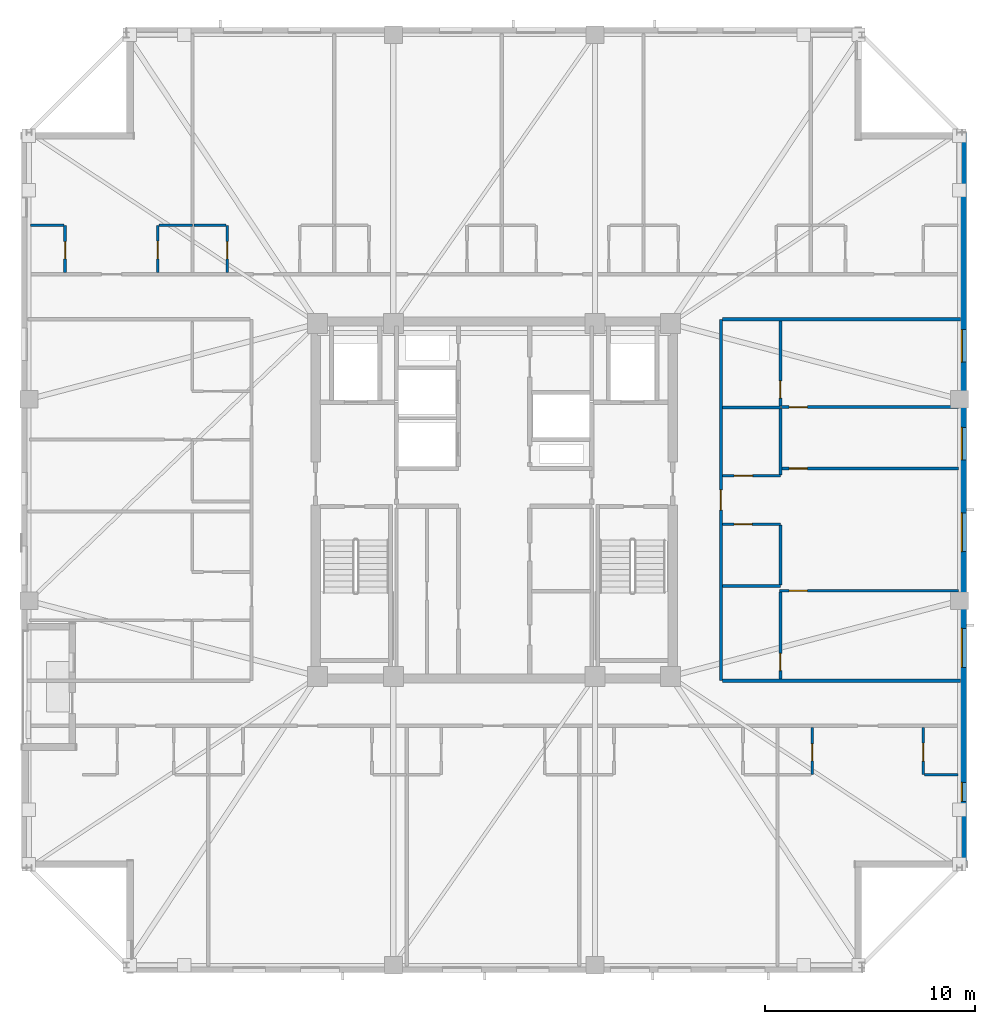
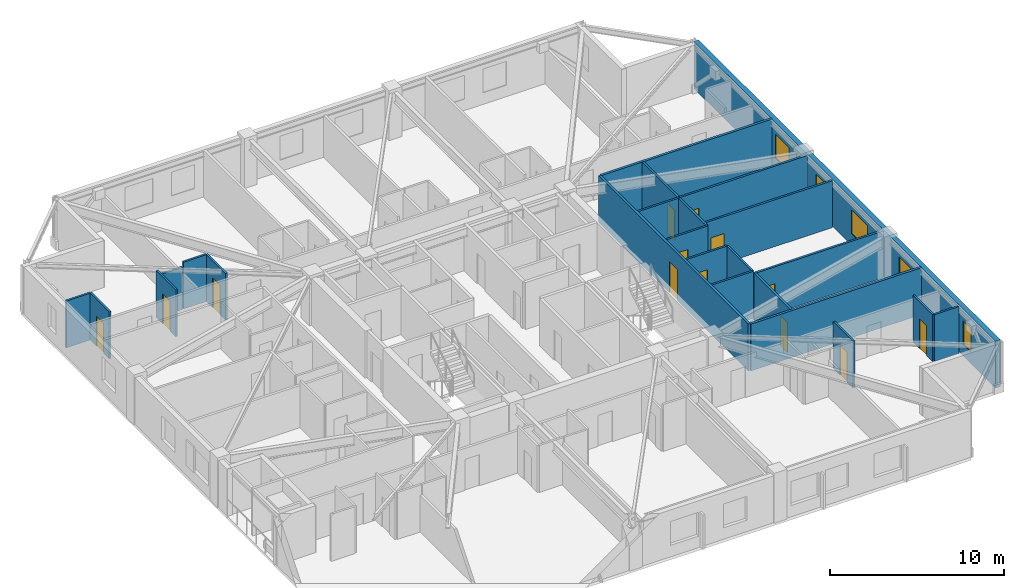
# One storey, part 10 of 17: 24 walls, 13 doors, 5 windows, 18 openings.
"""IFC4 building model written with IfcOpenShell, lengths in metres."""

from ifc_helpers import new_model, si_unit, direction, frame, frame_2d, origin, place, context, subcontext, project, spatial, rectangle, extrude, material, layer, layer_set, type_object, element, fill, save


model = new_model("IFC4")

# Units and contexts
model_context = context("Model", 3, precision=1e-05, world=origin(), true_north=direction((0.0, 1.0)))
body_context = subcontext(model_context, "Body", "Model", "MODEL_VIEW")
ifc_project = project(units=[si_unit("LENGTHUNIT", "METRE"), si_unit("AREAUNIT", "SQUARE_METRE"), si_unit("VOLUMEUNIT", "CUBIC_METRE"), si_unit("PLANEANGLEUNIT", "RADIAN"), si_unit("MASSUNIT", "GRAM", prefix="KILO")], contexts=[model_context])

# Site, building, storey
site_placement = place(None, origin())
site = spatial("IfcSite", under=ifc_project, at=site_placement, CompositionType="ELEMENT")
building_placement = place(site_placement, origin())
building = spatial("IfcBuilding", under=site, at=building_placement, Name="Cairnveth Concourse Tower", CompositionType="ELEMENT")
storey_placement = place(building_placement, frame((0.0, 0.0, 251.5)))
storey = spatial("IfcBuildingStorey", under=building, at=storey_placement, Name="L69", CompositionType="ELEMENT", Elevation=251.5)

# Wall, opening, door
ifc_material_1 = material(Name="Gypsum Plasterboard Partition", Category="gypsum")
ifc_layer_1 = layer(ifc_material_1, 0.159912109375)
ifc_layer_set_1 = layer_set([ifc_layer_1], Name="Gypsum Plasterboard Partition")
wall_type_1 = type_object("IfcWallType", Name="ACOUSTIC PARTY WALL 180", PredefinedType="PARTITIONING", material=ifc_layer_set_1)
wall_1_placement = place(storey_placement, frame((62.800048828125, 30.39990234375, 0.0), z_axis=(0.0, 0.0, 1.0), x_axis=(0.0, 1.0, 0.0)))
wall_1 = element("IfcWall", 1, at=wall_1_placement, inside=storey, type_object=wall_type_1, Name="Interior Wall IW-L69-038", PredefinedType="PARTITIONING", context=body_context, shape_type="SweptSolid", body=[
    extrude(rectangle(XDim=17.2001953125, YDim=0.159912109375, at=frame_2d((8.60009765625, 0.0))), origin(), (0.0, 0.0, 1.0), 3.2900390625),
])
opening_1_placement = place(wall_1_placement, frame((8.1201171875, 0.0, 0.0)))
opening_1 = element("IfcOpeningElement", 2, at=opening_1_placement, cuts=wall_1, Name="Opening ID10", PredefinedType="OPENING", context=body_context, shape_type="SweptSolid", body=[
    extrude(rectangle(XDim=0.9599609375, YDim=2.179931640625, at=frame_2d((0.47998046875, 1.08984375))), frame((0.0, 0.08984375, 0.0), z_axis=(0.0, -1.0, 0.0), x_axis=(1.0, 0.0, 0.0)), (0.0, 0.0, 1.0), 0.179931640625),
])
ifc_material_2 = material(Name="Solid Core Hardwood Timber Leaf", Category="wood")
door_type_1 = type_object("IfcDoorType", Name="FLAT ENTRANCE DOOR 960X2150", OperationType="NOTDEFINED", PredefinedType="DOOR", material=ifc_material_2)
door_1_placement = place(opening_1_placement, origin())
door_1 = element("IfcDoor", 3, at=door_1_placement, inside=storey, type_object=door_type_1, Name="Apartment L69E1 Entrance Door", OperationType="SINGLE_SWING_RIGHT", OverallHeight=2.179931640625, OverallWidth=0.9599609375, PredefinedType="DOOR", context=body_context, shape_type="SweptSolid", body=[
    extrude(rectangle(XDim=0.9599609375, YDim=2.179931640625, at=frame_2d((0.47998046875, 1.08984375))), frame((0.0, 0.02490234375, 0.0), z_axis=(0.0, -1.0, 0.0), x_axis=(1.0, 0.0, 0.0)), (0.0, 0.0, 1.0), 0.050048828125),
])
fill(opening_1, door_1)

# Walls
for number, where, z_axis, x_axis, name in (
    (4, (62.864990234375, 30.39990234375, 0.0), (0.0, 0.0, 1.0), (1.0, 0.0, 0.0), "Interior Wall IW-L69-041"),
    (5, (62.864990234375, 47.60009765625, 0.0), (0.0, 0.0, 1.0), (1.0, 0.0, 0.0), "Interior Wall IW-L69-042"),
):
    element("IfcWall", number, at=place(storey_placement, frame(where, z_axis=z_axis, x_axis=x_axis)), inside=storey, type_object=wall_type_1, Name=name, PredefinedType="PARTITIONING", context=body_context, shape_type="SweptSolid", body=[
        extrude(rectangle(XDim=11.330078125, YDim=0.159912109375, at=frame_2d((5.6650390625, 0.0))), origin(), (0.0, 0.0, 1.0), 3.2900390625),
    ])

# Wall, opening, door
ifc_layer_2 = layer(ifc_material_1, 0.139892578125)
ifc_layer_set_2 = layer_set([ifc_layer_2], Name="Gypsum Plasterboard Partition")
wall_type_2 = type_object("IfcWallType", Name="GYPSUM STUD PARTITION 140", PredefinedType="PARTITIONING", material=ifc_layer_set_2)
wall_2_placement = place(storey_placement, frame((65.590087890625, 34.679931640625, 0.0), z_axis=(0.0, 0.0, 1.0), x_axis=(1.0, 0.0, 0.0)))
wall_2 = element("IfcWall", 6, at=wall_2_placement, inside=storey, type_object=wall_type_2, Name="Interior Wall IW-L69-114", PredefinedType="PARTITIONING", context=body_context, shape_type="SweptSolid", body=[
    extrude(rectangle(XDim=8.530029296875, YDim=0.139892578125, at=frame_2d((4.26513671875, 0.0))), origin(), (0.0, 0.0, 1.0), 3.2900390625),
])
opening_2_placement = place(wall_2_placement, frame((0.449951171875, 0.0, 0.0)))
opening_2 = element("IfcOpeningElement", 7, at=opening_2_placement, cuts=wall_2, Name="Opening ID18", PredefinedType="OPENING", context=body_context, shape_type="SweptSolid", body=[
    extrude(rectangle(XDim=0.8798828125, YDim=2.10009765625, at=frame_2d((0.43994140625, 1.050048828125))), frame((0.0, 0.079833984375, 0.0), z_axis=(0.0, -1.0, 0.0), x_axis=(1.0, 0.0, 0.0)), (0.0, 0.0, 1.0), 0.159912109375),
])
door_type_2 = type_object("IfcDoorType", Name="INTERIOR SINGLE DOOR 880X2100", OperationType="NOTDEFINED", PredefinedType="DOOR", material=ifc_material_2)
door_2_placement = place(opening_2_placement, origin())
door_2 = element("IfcDoor", 8, at=door_2_placement, inside=storey, type_object=door_type_2, Name="L69E1 Master Bedroom Door", OperationType="SINGLE_SWING_RIGHT", OverallHeight=2.10009765625, OverallWidth=0.8798828125, PredefinedType="DOOR", context=body_context, shape_type="SweptSolid", body=[
    extrude(rectangle(XDim=0.8798828125, YDim=2.10009765625, at=frame_2d((0.43994140625, 1.050048828125))), frame((0.0, 0.02490234375, 0.0), z_axis=(0.0, -1.0, 0.0), x_axis=(1.0, 0.0, 0.0)), (0.0, 0.0, 1.0), 0.050048828125),
])
fill(opening_2, door_2)

wall_3_placement = place(storey_placement, frame((65.6298828125, 30.465087890625, 0.0), z_axis=(0.0, 0.0, 1.0), x_axis=(0.0, 1.0, 0.0)))
wall_3 = element("IfcWall", 9, at=wall_3_placement, inside=storey, type_object=wall_type_2, Name="Interior Wall IW-L69-115", PredefinedType="PARTITIONING", context=body_context, shape_type="SweptSolid", body=[
    extrude(rectangle(XDim=4.159912109375, YDim=0.139892578125, at=frame_2d((2.080078125, 0.0))), origin(), (0.0, 0.0, 1.0), 3.2900390625),
])
opening_3_placement = place(wall_3_placement, frame((0.4150390625, 0.0, 0.0)))
opening_3 = element("IfcOpeningElement", 10, at=opening_3_placement, cuts=wall_3, Name="Opening ID22", PredefinedType="OPENING", context=body_context, shape_type="SweptSolid", body=[
    extrude(rectangle(XDim=0.820068359375, YDim=2.10009765625, at=frame_2d((0.41015625, 1.050048828125))), frame((0.0, 0.079833984375, 0.0), z_axis=(0.0, -1.0, 0.0), x_axis=(1.0, 0.0, 0.0)), (0.0, 0.0, 1.0), 0.159912109375),
])
door_type_3 = type_object("IfcDoorType", Name="INTERIOR WC DOOR 820X2100", OperationType="NOTDEFINED", PredefinedType="DOOR", material=ifc_material_2)
door_3_placement = place(opening_3_placement, origin())
door_3 = element("IfcDoor", 11, at=door_3_placement, inside=storey, type_object=door_type_3, Name="L69E1 Dressing Door", OperationType="SINGLE_SWING_LEFT", OverallHeight=2.10009765625, OverallWidth=0.820068359375, PredefinedType="DOOR", context=body_context, shape_type="SweptSolid", body=[
    extrude(rectangle(XDim=0.820068359375, YDim=2.10009765625, at=frame_2d((0.41015625, 1.050048828125))), frame((0.0, 0.02490234375, 0.0), z_axis=(0.0, -1.0, 0.0), x_axis=(1.0, 0.0, 0.0)), (0.0, 0.0, 1.0), 0.050048828125),
])
fill(opening_3, door_3)

wall_4_placement = place(storey_placement, frame((65.679931640625, 43.419921875, 0.0), z_axis=(0.0, 0.0, 1.0), x_axis=(1.0, 0.0, 0.0)))
wall_4 = element("IfcWall", 12, at=wall_4_placement, inside=storey, type_object=wall_type_2, Name="Interior Wall IW-L69-116", PredefinedType="PARTITIONING", context=body_context, shape_type="SweptSolid", body=[
    extrude(rectangle(XDim=8.440185546875, YDim=0.139892578125, at=frame_2d((4.22021484375, 0.0))), origin(), (0.0, 0.0, 1.0), 3.2900390625),
])
opening_4_placement = place(wall_4_placement, frame((0.360107421875, 0.0, 0.0)))
opening_4 = element("IfcOpeningElement", 13, at=opening_4_placement, cuts=wall_4, Name="Opening ID18", PredefinedType="OPENING", context=body_context, shape_type="SweptSolid", body=[
    extrude(rectangle(XDim=0.8798828125, YDim=2.10009765625, at=frame_2d((0.43994140625, 1.050048828125))), frame((0.0, 0.079833984375, 0.0), z_axis=(0.0, -1.0, 0.0), x_axis=(1.0, 0.0, 0.0)), (0.0, 0.0, 1.0), 0.159912109375),
])
door_4_placement = place(opening_4_placement, origin())
door_4 = element("IfcDoor", 14, at=door_4_placement, inside=storey, type_object=door_type_2, Name="L69E1 Bedroom 2 Door", OperationType="SINGLE_SWING_RIGHT", OverallHeight=2.10009765625, OverallWidth=0.8798828125, PredefinedType="DOOR", context=body_context, shape_type="SweptSolid", body=[
    extrude(rectangle(XDim=0.8798828125, YDim=2.10009765625, at=frame_2d((0.43994140625, 1.050048828125))), frame((0.0, 0.02490234375, 0.0), z_axis=(0.0, -1.0, 0.0), x_axis=(1.0, 0.0, 0.0)), (0.0, 0.0, 1.0), 0.050048828125),
])
fill(opening_4, door_4)

wall_5_placement = place(storey_placement, frame((65.6298828125, 43.47509765625, 0.0), z_axis=(0.0, 0.0, 1.0), x_axis=(0.0, 1.0, 0.0)))
wall_5 = element("IfcWall", 15, at=wall_5_placement, inside=storey, type_object=wall_type_2, Name="Interior Wall IW-L69-117", PredefinedType="PARTITIONING", context=body_context, shape_type="SweptSolid", body=[
    extrude(rectangle(XDim=4.059814453125, YDim=0.139892578125, at=frame_2d((2.02978515625, 0.0))), origin(), (0.0, 0.0, 1.0), 3.2900390625),
])
opening_5_placement = place(wall_5_placement, frame((0.375, 0.0, 0.0)))
opening_5 = element("IfcOpeningElement", 16, at=opening_5_placement, cuts=wall_5, Name="Opening ID22", PredefinedType="OPENING", context=body_context, shape_type="SweptSolid", body=[
    extrude(rectangle(XDim=0.820068359375, YDim=2.10009765625, at=frame_2d((0.41015625, 1.050048828125))), frame((0.0, 0.079833984375, 0.0), z_axis=(0.0, -1.0, 0.0), x_axis=(1.0, 0.0, 0.0)), (0.0, 0.0, 1.0), 0.159912109375),
])
door_5_placement = place(opening_5_placement, origin())
door_5 = element("IfcDoor", 17, at=door_5_placement, inside=storey, type_object=door_type_3, Name="L69E1 Utility Door", OperationType="SINGLE_SWING_LEFT", OverallHeight=2.10009765625, OverallWidth=0.820068359375, PredefinedType="DOOR", context=body_context, shape_type="SweptSolid", body=[
    extrude(rectangle(XDim=0.820068359375, YDim=2.10009765625, at=frame_2d((0.41015625, 1.050048828125))), frame((0.0, 0.02490234375, 0.0), z_axis=(0.0, -1.0, 0.0), x_axis=(1.0, 0.0, 0.0)), (0.0, 0.0, 1.0), 0.050048828125),
])
fill(opening_5, door_5)

wall_6_placement = place(storey_placement, frame((65.679931640625, 40.5, 0.0), z_axis=(0.0, 0.0, 1.0), x_axis=(1.0, 0.0, 0.0)))
wall_6 = element("IfcWall", 18, at=wall_6_placement, inside=storey, type_object=wall_type_2, Name="Interior Wall IW-L69-118", PredefinedType="PARTITIONING", context=body_context, shape_type="SweptSolid", body=[
    extrude(rectangle(XDim=8.440185546875, YDim=0.139892578125, at=frame_2d((4.22021484375, 0.0))), origin(), (0.0, 0.0, 1.0), 3.2900390625),
])
opening_6_placement = place(wall_6_placement, frame((0.360107421875, 0.0, 0.0)))
opening_6 = element("IfcOpeningElement", 19, at=opening_6_placement, cuts=wall_6, Name="Opening ID18", PredefinedType="OPENING", context=body_context, shape_type="SweptSolid", body=[
    extrude(rectangle(XDim=0.8798828125, YDim=2.10009765625, at=frame_2d((0.43994140625, 1.050048828125))), frame((0.0, 0.079833984375, 0.0), z_axis=(0.0, -1.0, 0.0), x_axis=(1.0, 0.0, 0.0)), (0.0, 0.0, 1.0), 0.159912109375),
])
door_6_placement = place(opening_6_placement, origin())
door_6 = element("IfcDoor", 20, at=door_6_placement, inside=storey, type_object=door_type_2, Name="L69E1 Media Lounge Door", OperationType="SINGLE_SWING_LEFT", OverallHeight=2.10009765625, OverallWidth=0.8798828125, PredefinedType="DOOR", context=body_context, shape_type="SweptSolid", body=[
    extrude(rectangle(XDim=0.8798828125, YDim=2.10009765625, at=frame_2d((0.43994140625, 1.050048828125))), frame((0.0, 0.02490234375, 0.0), z_axis=(0.0, -1.0, 0.0), x_axis=(1.0, 0.0, 0.0)), (0.0, 0.0, 1.0), 0.050048828125),
])
fill(opening_6, door_6)

ifc_layer_3 = layer(ifc_material_1, 0.1298828125)
ifc_layer_set_3 = layer_set([ifc_layer_3], Name="Gypsum Plasterboard Partition")
wall_type_3 = type_object("IfcWallType", Name="WET AREA PARTITION 140", PredefinedType="PLUMBINGWALL", material=ifc_layer_set_3)
wall_7_placement = place(storey_placement, frame((67.1455078125, 25.922607421875, 0.0), z_axis=(0.0, 0.0, 1.0), x_axis=(0.0, 1.0, 0.0)))
wall_7 = element("IfcWall", 21, at=wall_7_placement, inside=storey, type_object=wall_type_3, Name="Interior Wall IW-L69-063", PredefinedType="PLUMBINGWALL", context=body_context, shape_type="SweptSolid", body=[
    extrude(rectangle(XDim=2.25, YDim=0.1298828125, at=frame_2d((1.125, 0.0))), origin(), (0.0, 0.0, 1.0), 3.2900390625),
])
opening_7_placement = place(wall_7_placement, frame((0.64990234375, 0.0, 0.0)))
opening_7 = element("IfcOpeningElement", 22, at=opening_7_placement, cuts=wall_7, Name="Opening ID22", PredefinedType="OPENING", context=body_context, shape_type="SweptSolid", body=[
    extrude(rectangle(XDim=0.820068359375, YDim=2.10009765625, at=frame_2d((0.41015625, 1.050048828125))), frame((0.0, 0.074951171875, 0.0), z_axis=(0.0, -1.0, 0.0), x_axis=(1.0, 0.0, 0.0)), (0.0, 0.0, 1.0), 0.14990234375),
])
door_7_placement = place(opening_7_placement, origin())
door_7 = element("IfcDoor", 23, at=door_7_placement, inside=storey, type_object=door_type_3, Name="L69STS5 Bathroom Door", OperationType="SINGLE_SWING_RIGHT", OverallHeight=2.10009765625, OverallWidth=0.820068359375, PredefinedType="DOOR", context=body_context, shape_type="SweptSolid", body=[
    extrude(rectangle(XDim=0.820068359375, YDim=2.10009765625, at=frame_2d((0.41015625, 1.050048828125))), frame((0.0, 0.02490234375, 0.0), z_axis=(0.0, -1.0, 0.0), x_axis=(1.0, 0.0, 0.0)), (0.0, 0.0, 1.0), 0.050048828125),
])
fill(opening_7, door_7)

wall_8_placement = place(storey_placement, frame((72.429931640625, 25.922607421875, 0.0), z_axis=(0.0, 0.0, 1.0), x_axis=(0.0, 1.0, 0.0)))
wall_8 = element("IfcWall", 24, at=wall_8_placement, inside=storey, type_object=wall_type_3, Name="Interior Wall IW-L69-065", PredefinedType="PLUMBINGWALL", context=body_context, shape_type="SweptSolid", body=[
    extrude(rectangle(XDim=2.25, YDim=0.1298828125, at=frame_2d((1.125, 0.0))), origin(), (0.0, 0.0, 1.0), 3.2900390625),
])
opening_8_placement = place(wall_8_placement, frame((0.64990234375, 0.0, 0.0)))
opening_8 = element("IfcOpeningElement", 25, at=opening_8_placement, cuts=wall_8, Name="Opening ID20", PredefinedType="OPENING", context=body_context, shape_type="SweptSolid", body=[
    extrude(rectangle(XDim=0.85009765625, YDim=2.10009765625, at=frame_2d((0.425048828125, 1.050048828125))), frame((0.0, 0.074951171875, 0.0), z_axis=(0.0, -1.0, 0.0), x_axis=(1.0, 0.0, 0.0)), (0.0, 0.0, 1.0), 0.14990234375),
])
door_type_4 = type_object("IfcDoorType", Name="INTERIOR SINGLE DOOR 850X2100", OperationType="NOTDEFINED", PredefinedType="DOOR", material=ifc_material_2)
door_8_placement = place(opening_8_placement, origin())
door_8 = element("IfcDoor", 26, at=door_8_placement, inside=storey, type_object=door_type_4, Name="L69STS5 Kitchen Door", OperationType="SINGLE_SWING_LEFT", OverallHeight=2.10009765625, OverallWidth=0.85009765625, PredefinedType="DOOR", context=body_context, shape_type="SweptSolid", body=[
    extrude(rectangle(XDim=0.85009765625, YDim=2.10009765625, at=frame_2d((0.425048828125, 1.050048828125))), frame((0.0, 0.02490234375, 0.0), z_axis=(0.0, -1.0, 0.0), x_axis=(1.0, 0.0, 0.0)), (0.0, 0.0, 1.0), 0.050048828125),
])
fill(opening_8, door_8)

# Wall
wall_9_placement = place(storey_placement, frame((72.47998046875, 25.922607421875, 0.0), z_axis=(0.0, 0.0, 1.0), x_axis=(1.0, 0.0, 0.0)))
element("IfcWall", 27, at=wall_9_placement, inside=storey, type_object=wall_type_3, Name="Interior Wall IW-L69-066", PredefinedType="PLUMBINGWALL", context=body_context, shape_type="SweptSolid", body=[
    extrude(rectangle(XDim=1.60009765625, YDim=0.1298828125, at=frame_2d((0.800048828125, 0.0))), origin(), (0.0, 0.0, 1.0), 3.2900390625),
])

# Wall, opening, door
wall_10_placement = place(storey_placement, frame((31.570068359375, 49.827392578125, 0.0), z_axis=(0.0, 0.0, 1.0), x_axis=(0.0, 1.0, 0.0)))
wall_10 = element("IfcWall", 28, at=wall_10_placement, inside=storey, type_object=wall_type_3, Name="Interior Wall IW-L69-067", PredefinedType="PLUMBINGWALL", context=body_context, shape_type="SweptSolid", body=[
    extrude(rectangle(XDim=2.25, YDim=0.1298828125, at=frame_2d((1.125, 0.0))), origin(), (0.0, 0.0, 1.0), 3.2900390625),
])
opening_9_placement = place(wall_10_placement, frame((0.64990234375, 0.0, 0.0)))
opening_9 = element("IfcOpeningElement", 29, at=opening_9_placement, cuts=wall_10, Name="Opening ID22", PredefinedType="OPENING", context=body_context, shape_type="SweptSolid", body=[
    extrude(rectangle(XDim=0.820068359375, YDim=2.10009765625, at=frame_2d((0.41015625, 1.050048828125))), frame((0.0, 0.074951171875, 0.0), z_axis=(0.0, -1.0, 0.0), x_axis=(1.0, 0.0, 0.0)), (0.0, 0.0, 1.0), 0.14990234375),
])
door_9_placement = place(opening_9_placement, origin())
door_9 = element("IfcDoor", 30, at=door_9_placement, inside=storey, type_object=door_type_3, Name="L69STN1 Bathroom Door", OperationType="SINGLE_SWING_LEFT", OverallHeight=2.10009765625, OverallWidth=0.820068359375, PredefinedType="DOOR", context=body_context, shape_type="SweptSolid", body=[
    extrude(rectangle(XDim=0.820068359375, YDim=2.10009765625, at=frame_2d((0.41015625, 1.050048828125))), frame((0.0, 0.02490234375, 0.0), z_axis=(0.0, -1.0, 0.0), x_axis=(1.0, 0.0, 0.0)), (0.0, 0.0, 1.0), 0.050048828125),
])
fill(opening_9, door_9)

# Wall
wall_11_placement = place(storey_placement, frame((29.919921875, 52.077392578125, 0.0), z_axis=(0.0, 0.0, 1.0), x_axis=(1.0, 0.0, 0.0)))
element("IfcWall", 31, at=wall_11_placement, inside=storey, type_object=wall_type_3, Name="Interior Wall IW-L69-068", PredefinedType="PLUMBINGWALL", context=body_context, shape_type="SweptSolid", body=[
    extrude(rectangle(XDim=1.60009765625, YDim=0.1298828125, at=frame_2d((0.800048828125, 0.0))), origin(), (0.0, 0.0, 1.0), 3.2900390625),
])

# Wall, opening, door
wall_12_placement = place(storey_placement, frame((35.987548828125, 49.827392578125, 0.0), z_axis=(0.0, 0.0, 1.0), x_axis=(0.0, 1.0, 0.0)))
wall_12 = element("IfcWall", 32, at=wall_12_placement, inside=storey, type_object=wall_type_3, Name="Interior Wall IW-L69-069", PredefinedType="PLUMBINGWALL", context=body_context, shape_type="SweptSolid", body=[
    extrude(rectangle(XDim=2.25, YDim=0.1298828125, at=frame_2d((1.125, 0.0))), origin(), (0.0, 0.0, 1.0), 3.2900390625),
])
opening_10_placement = place(wall_12_placement, frame((0.64990234375, 0.0, 0.0)))
opening_10 = element("IfcOpeningElement", 33, at=opening_10_placement, cuts=wall_12, Name="Opening ID20", PredefinedType="OPENING", context=body_context, shape_type="SweptSolid", body=[
    extrude(rectangle(XDim=0.85009765625, YDim=2.10009765625, at=frame_2d((0.425048828125, 1.050048828125))), frame((0.0, 0.074951171875, 0.0), z_axis=(0.0, -1.0, 0.0), x_axis=(1.0, 0.0, 0.0)), (0.0, 0.0, 1.0), 0.14990234375),
])
door_10_placement = place(opening_10_placement, origin())
door_10 = element("IfcDoor", 34, at=door_10_placement, inside=storey, type_object=door_type_4, Name="L69STN1 Kitchen Door", OperationType="SINGLE_SWING_RIGHT", OverallHeight=2.10009765625, OverallWidth=0.85009765625, PredefinedType="DOOR", context=body_context, shape_type="SweptSolid", body=[
    extrude(rectangle(XDim=0.85009765625, YDim=2.10009765625, at=frame_2d((0.425048828125, 1.050048828125))), frame((0.0, 0.02490234375, 0.0), z_axis=(0.0, -1.0, 0.0), x_axis=(1.0, 0.0, 0.0)), (0.0, 0.0, 1.0), 0.050048828125),
])
fill(opening_10, door_10)

# Wall
wall_13_placement = place(storey_placement, frame((36.03759765625, 52.077392578125, 0.0), z_axis=(0.0, 0.0, 1.0), x_axis=(1.0, 0.0, 0.0)))
element("IfcWall", 35, at=wall_13_placement, inside=storey, type_object=wall_type_3, Name="Interior Wall IW-L69-070", PredefinedType="PLUMBINGWALL", context=body_context, shape_type="SweptSolid", body=[
    extrude(rectangle(XDim=1.599853515625, YDim=0.1298828125, at=frame_2d((0.7998046875, 0.0))), origin(), (0.0, 0.0, 1.0), 2.9580078125),
])

# Wall, opening, door
wall_14_placement = place(storey_placement, frame((39.28759765625, 49.827392578125, 0.0), z_axis=(0.0, 0.0, 1.0), x_axis=(0.0, 1.0, 0.0)))
wall_14 = element("IfcWall", 36, at=wall_14_placement, inside=storey, type_object=wall_type_3, Name="Interior Wall IW-L69-072", PredefinedType="PLUMBINGWALL", context=body_context, shape_type="SweptSolid", body=[
    extrude(rectangle(XDim=2.25, YDim=0.1298828125, at=frame_2d((1.125, 0.0))), origin(), (0.0, 0.0, 1.0), 3.2900390625),
])
opening_11_placement = place(wall_14_placement, frame((0.64990234375, 0.0, 0.0)))
opening_11 = element("IfcOpeningElement", 37, at=opening_11_placement, cuts=wall_14, Name="Opening ID22", PredefinedType="OPENING", context=body_context, shape_type="SweptSolid", body=[
    extrude(rectangle(XDim=0.820068359375, YDim=2.10009765625, at=frame_2d((0.41015625, 1.050048828125))), frame((0.0, 0.074951171875, 0.0), z_axis=(0.0, -1.0, 0.0), x_axis=(1.0, 0.0, 0.0)), (0.0, 0.0, 1.0), 0.14990234375),
])
door_11_placement = place(opening_11_placement, origin())
door_11 = element("IfcDoor", 38, at=door_11_placement, inside=storey, type_object=door_type_3, Name="L69STN2 Bathroom Door", OperationType="SINGLE_SWING_RIGHT", OverallHeight=2.10009765625, OverallWidth=0.820068359375, PredefinedType="DOOR", context=body_context, shape_type="SweptSolid", body=[
    extrude(rectangle(XDim=0.820068359375, YDim=2.10009765625, at=frame_2d((0.41015625, 1.050048828125))), frame((0.0, 0.02490234375, 0.0), z_axis=(0.0, -1.0, 0.0), x_axis=(1.0, 0.0, 0.0)), (0.0, 0.0, 1.0), 0.050048828125),
])
fill(opening_11, door_11)

# Walls
wall_15_placement = place(storey_placement, frame((37.702392578125, 52.077392578125, 0.0), z_axis=(0.0, 0.0, 1.0), x_axis=(1.0, 0.0, 0.0)))
element("IfcWall", 39, at=wall_15_placement, inside=storey, type_object=wall_type_3, Name="Interior Wall IW-L69-073", PredefinedType="PLUMBINGWALL", context=body_context, shape_type="SweptSolid", body=[
    extrude(rectangle(XDim=1.53515625, YDim=0.1298828125, at=frame_2d((0.767578125, 0.0))), origin(), (0.0, 0.0, 1.0), 3.2900390625),
])
wall_16_placement = place(storey_placement, frame((62.8798828125, 34.89990234375, 0.0), z_axis=(0.0, 0.0, 1.0), x_axis=(1.0, 0.0, 0.0)))
element("IfcWall", 40, at=wall_16_placement, inside=storey, type_object=wall_type_3, Name="Interior Wall IW-L69-108", PredefinedType="PLUMBINGWALL", context=body_context, shape_type="SweptSolid", body=[
    extrude(rectangle(XDim=2.75, YDim=0.1298828125, at=frame_2d((1.375, 0.0))), origin(), (0.0, 0.0, 1.0), 3.2900390625),
])

# Wall, opening, door
wall_17_placement = place(storey_placement, frame((62.8798828125, 37.85009765625, 0.0), z_axis=(0.0, 0.0, 1.0), x_axis=(1.0, 0.0, 0.0)))
wall_17 = element("IfcWall", 41, at=wall_17_placement, inside=storey, type_object=wall_type_3, Name="Interior Wall IW-L69-109", PredefinedType="PLUMBINGWALL", context=body_context, shape_type="SweptSolid", body=[
    extrude(rectangle(XDim=2.75, YDim=0.1298828125, at=frame_2d((1.375, 0.0))), origin(), (0.0, 0.0, 1.0), 3.2900390625),
])
opening_12_placement = place(wall_17_placement, frame((0.550048828125, 0.0, 0.0)))
opening_12 = element("IfcOpeningElement", 42, at=opening_12_placement, cuts=wall_17, Name="Opening ID21", PredefinedType="OPENING", context=body_context, shape_type="SweptSolid", body=[
    extrude(rectangle(XDim=0.85009765625, YDim=2.080078125, at=frame_2d((0.425048828125, 1.0400390625))), frame((0.0, 0.074951171875, 0.0), z_axis=(0.0, -1.0, 0.0), x_axis=(1.0, 0.0, 0.0)), (0.0, 0.0, 1.0), 0.14990234375),
])
door_type_5 = type_object("IfcDoorType", Name="INTERIOR WC DOOR 850X2100", OperationType="NOTDEFINED", PredefinedType="DOOR", material=ifc_material_2)
door_12_placement = place(opening_12_placement, origin())
door_12 = element("IfcDoor", 43, at=door_12_placement, inside=storey, type_object=door_type_5, Name="L69E1 Bathroom Door", OperationType="SINGLE_SWING_LEFT", OverallHeight=2.080078125, OverallWidth=0.85009765625, PredefinedType="DOOR", context=body_context, shape_type="SweptSolid", body=[
    extrude(rectangle(XDim=0.85009765625, YDim=2.080078125, at=frame_2d((0.425048828125, 1.0400390625))), frame((0.0, 0.02490234375, 0.0), z_axis=(0.0, -1.0, 0.0), x_axis=(1.0, 0.0, 0.0)), (0.0, 0.0, 1.0), 0.050048828125),
])
fill(opening_12, door_12)

# Walls
wall_18_placement = place(storey_placement, frame((65.6298828125, 34.949951171875, 0.0), z_axis=(0.0, 0.0, 1.0), x_axis=(0.0, 1.0, 0.0)))
element("IfcWall", 44, at=wall_18_placement, inside=storey, type_object=wall_type_3, Name="Interior Wall IW-L69-110", PredefinedType="PLUMBINGWALL", context=body_context, shape_type="SweptSolid", body=[
    extrude(rectangle(XDim=2.85009765625, YDim=0.1298828125, at=frame_2d((1.425048828125, 0.0))), origin(), (0.0, 0.0, 1.0), 3.2900390625),
])
wall_19_placement = place(storey_placement, frame((62.8798828125, 43.39990234375, 0.0), z_axis=(0.0, 0.0, 1.0), x_axis=(1.0, 0.0, 0.0)))
element("IfcWall", 45, at=wall_19_placement, inside=storey, type_object=wall_type_3, Name="Interior Wall IW-L69-111", PredefinedType="PLUMBINGWALL", context=body_context, shape_type="SweptSolid", body=[
    extrude(rectangle(XDim=2.75, YDim=0.1298828125, at=frame_2d((1.375, 0.0))), origin(), (0.0, 0.0, 1.0), 3.2900390625),
])

# Wall, opening, door
wall_20_placement = place(storey_placement, frame((62.8798828125, 40.14990234375, 0.0), z_axis=(0.0, 0.0, 1.0), x_axis=(1.0, 0.0, 0.0)))
wall_20 = element("IfcWall", 46, at=wall_20_placement, inside=storey, type_object=wall_type_3, Name="Interior Wall IW-L69-112", PredefinedType="PLUMBINGWALL", context=body_context, shape_type="SweptSolid", body=[
    extrude(rectangle(XDim=2.75, YDim=0.1298828125, at=frame_2d((1.375, 0.0))), origin(), (0.0, 0.0, 1.0), 3.2900390625),
])
opening_13_placement = place(wall_20_placement, frame((0.550048828125, 0.0, 0.0)))
opening_13 = element("IfcOpeningElement", 47, at=opening_13_placement, cuts=wall_20, Name="Opening ID18", PredefinedType="OPENING", context=body_context, shape_type="SweptSolid", body=[
    extrude(rectangle(XDim=0.8798828125, YDim=2.10009765625, at=frame_2d((0.43994140625, 1.050048828125))), frame((0.0, 0.074951171875, 0.0), z_axis=(0.0, -1.0, 0.0), x_axis=(1.0, 0.0, 0.0)), (0.0, 0.0, 1.0), 0.14990234375),
])
door_13_placement = place(opening_13_placement, origin())
door_13 = element("IfcDoor", 48, at=door_13_placement, inside=storey, type_object=door_type_2, Name="L69E1 Kitchen Door", OperationType="SINGLE_SWING_RIGHT", OverallHeight=2.10009765625, OverallWidth=0.8798828125, PredefinedType="DOOR", context=body_context, shape_type="SweptSolid", body=[
    extrude(rectangle(XDim=0.8798828125, YDim=2.10009765625, at=frame_2d((0.43994140625, 1.050048828125))), frame((0.0, 0.02490234375, 0.0), z_axis=(0.0, -1.0, 0.0), x_axis=(1.0, 0.0, 0.0)), (0.0, 0.0, 1.0), 0.050048828125),
])
fill(opening_13, door_13)

# Wall
wall_21_placement = place(storey_placement, frame((65.6298828125, 40.199951171875, 0.0), z_axis=(0.0, 0.0, 1.0), x_axis=(0.0, 1.0, 0.0)))
element("IfcWall", 49, at=wall_21_placement, inside=storey, type_object=wall_type_3, Name="Interior Wall IW-L69-113", PredefinedType="PLUMBINGWALL", context=body_context, shape_type="SweptSolid", body=[
    extrude(rectangle(XDim=3.150146484375, YDim=0.1298828125, at=frame_2d((1.5751953125, 0.0))), origin(), (0.0, 0.0, 1.0), 3.2900390625),
])

# Wall, openings, windows
ifc_material_3 = material(Name="Melbourne Buff Fired Clay Brick Masonry", Category="masonry")
ifc_layer_4 = layer(ifc_material_3, 0.320068359375)
ifc_layer_set_4 = layer_set([ifc_layer_4], Name="Melbourne Buff Fired Clay Brick Masonry")
wall_type_4 = type_object("IfcWallType", Name="ZONE 3 BRICK PIER SPANDREL WALL 320", PredefinedType="SOLIDWALL", material=ifc_layer_set_4)
wall_22_placement = place(storey_placement, frame((74.340087890625, 56.5, 0.0), z_axis=(0.0, 0.0, 1.0), x_axis=(0.0, -1.0, 0.0)))
wall_22 = element("IfcWall", 50, at=wall_22_placement, inside=storey, type_object=wall_type_4, Name="Exterior Wall EW-L69-S06", PredefinedType="SOLIDWALL", context=body_context, shape_type="SweptSolid", body=[
    extrude(rectangle(XDim=34.701904296875, YDim=0.320068359375, at=frame_2d((17.35107421875, 0.0))), origin(), (0.0, 0.0, 1.0), 3.2900390625),
])
opening_14_placement = place(wall_22_placement, frame((9.387939453125, 0.0, 0.800048828125)))
opening_14 = element("IfcOpeningElement", 51, at=opening_14_placement, cuts=wall_22, Name="Opening W07", PredefinedType="OPENING", context=body_context, shape_type="SweptSolid", body=[
    extrude(rectangle(XDim=1.550048828125, YDim=1.677978515625, at=frame_2d((0.77490234375, 0.8388671875))), frame((0.0, 0.169921875, 0.0), z_axis=(0.0, -1.0, 0.0), x_axis=(1.0, 0.0, 0.0)), (0.0, 0.0, 1.0), 0.340087890625),
])
opening_15_placement = place(wall_22_placement, frame((14.038330078125, 0.0, 0.800048828125)))
opening_15 = element("IfcOpeningElement", 52, at=opening_15_placement, cuts=wall_22, Name="Opening W07", PredefinedType="OPENING", context=body_context, shape_type="SweptSolid", body=[
    extrude(rectangle(XDim=1.550048828125, YDim=1.677978515625, at=frame_2d((0.77490234375, 0.8388671875))), frame((0.0, 0.169921875, 0.0), z_axis=(0.0, -1.0, 0.0), x_axis=(1.0, 0.0, 0.0)), (0.0, 0.0, 1.0), 0.340087890625),
])
opening_16_placement = place(wall_22_placement, frame((18.113525390625, 0.0, 0.800048828125)))
opening_16 = element("IfcOpeningElement", 53, at=opening_16_placement, cuts=wall_22, Name="Opening W08", PredefinedType="OPENING", context=body_context, shape_type="SweptSolid", body=[
    extrude(rectangle(XDim=1.85009765625, YDim=1.677978515625, at=frame_2d((0.925048828125, 0.8388671875))), frame((0.0, 0.169921875, 0.0), z_axis=(0.0, -1.0, 0.0), x_axis=(1.0, 0.0, 0.0)), (0.0, 0.0, 1.0), 0.340087890625),
])
opening_17_placement = place(wall_22_placement, frame((23.614013671875, 0.0, 0.800048828125)))
opening_17 = element("IfcOpeningElement", 54, at=opening_17_placement, cuts=wall_22, Name="Opening W08", PredefinedType="OPENING", context=body_context, shape_type="SweptSolid", body=[
    extrude(rectangle(XDim=1.85009765625, YDim=1.677978515625, at=frame_2d((0.925048828125, 0.8388671875))), frame((0.0, 0.169921875, 0.0), z_axis=(0.0, -1.0, 0.0), x_axis=(1.0, 0.0, 0.0)), (0.0, 0.0, 1.0), 0.340087890625),
])
opening_18_placement = place(wall_22_placement, frame((30.949951171875, 0.0, 0.800048828125)))
opening_18 = element("IfcOpeningElement", 55, at=opening_18_placement, cuts=wall_22, Name="Opening W13", PredefinedType="OPENING", context=body_context, shape_type="SweptSolid", body=[
    extrude(rectangle(XDim=0.89990234375, YDim=1.677978515625, at=frame_2d((0.449951171875, 0.8388671875))), frame((0.0, 0.169921875, 0.0), z_axis=(0.0, -1.0, 0.0), x_axis=(1.0, 0.0, 0.0)), (0.0, 0.0, 1.0), 0.340087890625),
])
ifc_material_4 = material(Name="Double Glazed Low-E Clear Glass", Category="glass")
window_type_1 = type_object("IfcWindowType", Name="DEEP-SET APARTMENT LIVING WINDOW 1850X1850", PartitioningType="DOUBLE_PANEL_VERTICAL", PredefinedType="WINDOW", material=ifc_material_4)
window_1_placement = place(opening_16_placement, origin())
window_1 = element("IfcWindow", 56, at=window_1_placement, inside=storey, type_object=window_type_1, Name="Gothic Lancet Window L69-6-5", OverallHeight=1.677978515625, OverallWidth=1.85009765625, PartitioningType="SINGLE_PANEL", PredefinedType="WINDOW", context=body_context, shape_type="SweptSolid", body=[
    extrude(rectangle(XDim=1.85009765625, YDim=1.677978515625, at=frame_2d((0.925048828125, 0.8388671875))), frame((0.0, -0.050048828125, 0.0), z_axis=(0.0, -1.0, 0.0), x_axis=(1.0, 0.0, 0.0)), (0.0, 0.0, 1.0), 0.06005859375),
])
fill(opening_16, window_1)
window_2_placement = place(opening_17_placement, origin())
window_2 = element("IfcWindow", 57, at=window_2_placement, inside=storey, type_object=window_type_1, Name="Gothic Lancet Window L69-6-7", OverallHeight=1.677978515625, OverallWidth=1.85009765625, PartitioningType="SINGLE_PANEL", PredefinedType="WINDOW", context=body_context, shape_type="SweptSolid", body=[
    extrude(rectangle(XDim=1.85009765625, YDim=1.677978515625, at=frame_2d((0.925048828125, 0.8388671875))), frame((0.0, -0.050048828125, 0.0), z_axis=(0.0, -1.0, 0.0), x_axis=(1.0, 0.0, 0.0)), (0.0, 0.0, 1.0), 0.06005859375),
])
fill(opening_17, window_2)
window_type_2 = type_object("IfcWindowType", Name="DEEP-SET APARTMENT WINDOW 1550X1800", PartitioningType="DOUBLE_PANEL_VERTICAL", PredefinedType="WINDOW", material=ifc_material_4)
window_3_placement = place(opening_14_placement, origin())
window_3 = element("IfcWindow", 58, at=window_3_placement, inside=storey, type_object=window_type_2, Name="Gothic Lancet Window L69-6-2", OverallHeight=1.677978515625, OverallWidth=1.550048828125, PartitioningType="SINGLE_PANEL", PredefinedType="WINDOW", context=body_context, shape_type="SweptSolid", body=[
    extrude(rectangle(XDim=1.550048828125, YDim=1.677978515625, at=frame_2d((0.77490234375, 0.8388671875))), frame((0.0, -0.050048828125, 0.0), z_axis=(0.0, -1.0, 0.0), x_axis=(1.0, 0.0, 0.0)), (0.0, 0.0, 1.0), 0.06005859375),
])
fill(opening_14, window_3)
window_4_placement = place(opening_15_placement, origin())
window_4 = element("IfcWindow", 59, at=window_4_placement, inside=storey, type_object=window_type_2, Name="Gothic Lancet Window L69-6-4", OverallHeight=1.677978515625, OverallWidth=1.550048828125, PartitioningType="SINGLE_PANEL", PredefinedType="WINDOW", context=body_context, shape_type="SweptSolid", body=[
    extrude(rectangle(XDim=1.550048828125, YDim=1.677978515625, at=frame_2d((0.77490234375, 0.8388671875))), frame((0.0, -0.050048828125, 0.0), z_axis=(0.0, -1.0, 0.0), x_axis=(1.0, 0.0, 0.0)), (0.0, 0.0, 1.0), 0.06005859375),
])
fill(opening_15, window_4)
window_type_3 = type_object("IfcWindowType", Name="DEEP-SET BEDROOM LANCET WINDOW 900X1750", PartitioningType="DOUBLE_PANEL_VERTICAL", PredefinedType="WINDOW", material=ifc_material_4)
window_5_placement = place(opening_18_placement, origin())
window_5 = element("IfcWindow", 60, at=window_5_placement, inside=storey, type_object=window_type_3, Name="Dwelling Lancet Window L69-DW2", OverallHeight=1.677978515625, OverallWidth=0.89990234375, PartitioningType="SINGLE_PANEL", PredefinedType="WINDOW", context=body_context, shape_type="SweptSolid", body=[
    extrude(rectangle(XDim=0.89990234375, YDim=1.677978515625, at=frame_2d((0.449951171875, 0.8388671875))), frame((0.0, -0.0400390625, 0.0), z_axis=(0.0, -1.0, 0.0), x_axis=(1.0, 0.0, 0.0)), (0.0, 0.0, 1.0), 0.06005859375),
])
fill(opening_18, window_5)

save(model, "model.ifc")
